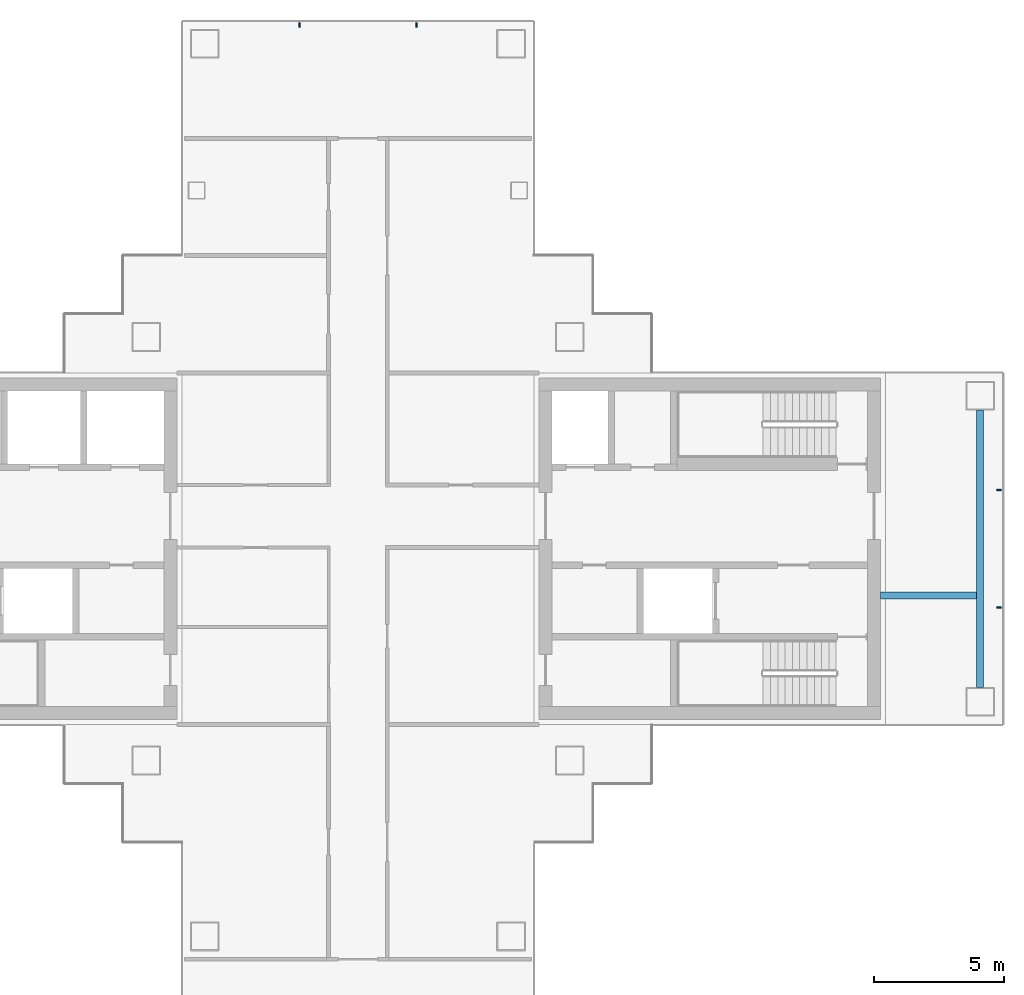
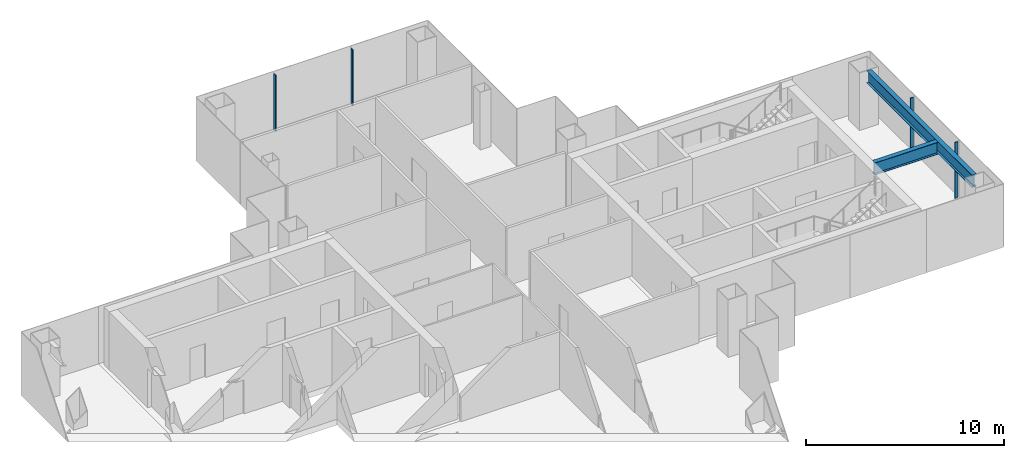
# One storey, part 6 of 16: 4 members, 2 beams, 2 elements without a shape of their own.
"""IFC4 building model written with IfcOpenShell, lengths in metres."""

from ifc_helpers import new_model, si_unit, direction, frame, origin, origin_2d, place, context, subcontext, project, spatial, rectangle, i_section, extrude, material, layer, layer_set, material_profile, profile_set, type_object, element, aggregate, save


model = new_model("IFC4")

# Units and contexts
model_context = context("Model", 3, precision=1e-05, world=origin(), true_north=direction((0.0, 1.0)))
body_context = subcontext(model_context, "Body", "Model", "MODEL_VIEW")
ifc_project = project(units=[si_unit("LENGTHUNIT", "METRE"), si_unit("AREAUNIT", "SQUARE_METRE"), si_unit("VOLUMEUNIT", "CUBIC_METRE"), si_unit("PLANEANGLEUNIT", "RADIAN"), si_unit("MASSUNIT", "GRAM", prefix="KILO")], contexts=[model_context])

# Site, building, storey
site_placement = place(None, origin())
site = spatial("IfcSite", under=ifc_project, at=site_placement, CompositionType="ELEMENT")
building_placement = place(site_placement, origin())
building = spatial("IfcBuilding", under=site, at=building_placement, Name="Shamsa Quay Exchange Towers", CompositionType="ELEMENT")
storey_placement = place(building_placement, frame((0.0, 0.0, 154.5)))
storey = spatial("IfcBuildingStorey", under=building, at=storey_placement, Name="L36", CompositionType="ELEMENT", Elevation=154.5)

# Curtain wall, members
ifc_material_1 = material(Name="Aluminium EN AW-6063 T6, black anodised", Category="aluminium")
ifc_layer = layer(ifc_material_1, 0.280029296875)
ifc_layer_set = layer_set([ifc_layer], Name="CW-1 UNITISED VISION GLASS")
curtain_wall_type = type_object("IfcCurtainWallType", Name="CW-1 UNITISED VISION GLASS", PredefinedType="NOTDEFINED", material=ifc_layer_set)
curtain_wall_1_placement = place(storey_placement, origin())
curtain_wall_1 = element("IfcCurtainWall", 1, at=curtain_wall_1_placement, inside=storey, type_object=curtain_wall_type, Name="CW1 T2-END-V- L36", PredefinedType="NOTDEFINED")
ifc_material_profile_1 = material_profile(ifc_material_1, rectangle(XDim=0.179931640625, YDim=0.06005859375, at=origin_2d()), Name="MU60x180")
ifc_profile_set_1 = profile_set([ifc_material_profile_1], Name="Aluminium EN AW-6063 T6, black anodised")
member_type = type_object("IfcMemberType", Name="CW1 MULLION 60x180", PredefinedType="MULLION", material=ifc_profile_set_1)
member_1_placement = place(storey_placement, frame((58.35009765625, -2.25, 0.0), z_axis=(0.0, 0.0, 1.0), x_axis=(-1.0, 0.0, 0.0)))
member_1 = element("IfcMember", 2, at=member_1_placement, type_object=member_type, Name="CW1 mullion", PredefinedType="MULLION", context=body_context, shape_type="SweptSolid", body=[
    extrude(rectangle(XDim=0.179931640625, YDim=0.06005859375, at=origin_2d()), origin(), (0.0, 0.0, 1.0), 3.449951171875),
])
member_2_placement = place(storey_placement, frame((58.35009765625, 2.25, 0.0), z_axis=(0.0, 0.0, 1.0), x_axis=(-1.0, 0.0, 0.0)))
member_2 = element("IfcMember", 3, at=member_2_placement, type_object=member_type, Name="CW1 mullion", PredefinedType="MULLION", context=body_context, shape_type="SweptSolid", body=[
    extrude(rectangle(XDim=0.179931640625, YDim=0.06005859375, at=origin_2d()), origin(), (0.0, 0.0, 1.0), 3.449951171875),
])
aggregate(curtain_wall_1, [member_1, member_2])

curtain_wall_2_placement = place(storey_placement, origin())
curtain_wall_2 = element("IfcCurtainWall", 4, at=curtain_wall_2_placement, inside=storey, type_object=curtain_wall_type, Name="CW1 T2-END-U+ L36", PredefinedType="NOTDEFINED")
member_3_placement = place(storey_placement, frame((36.0, 20.10009765625, 0.0), z_axis=(0.0, 0.0, 1.0), x_axis=(0.0, -1.0, 0.0)))
member_3 = element("IfcMember", 5, at=member_3_placement, type_object=member_type, Name="CW1 mullion", PredefinedType="MULLION", context=body_context, shape_type="SweptSolid", body=[
    extrude(rectangle(XDim=0.179931640625, YDim=0.06005859375, at=origin_2d()), origin(), (0.0, 0.0, 1.0), 3.449951171875),
])
member_4_placement = place(storey_placement, frame((31.5, 20.10009765625, 0.0), z_axis=(0.0, 0.0, 1.0), x_axis=(0.0, -1.0, 0.0)))
member_4 = element("IfcMember", 6, at=member_4_placement, type_object=member_type, Name="CW1 mullion", PredefinedType="MULLION", context=body_context, shape_type="SweptSolid", body=[
    extrude(rectangle(XDim=0.179931640625, YDim=0.06005859375, at=origin_2d()), origin(), (0.0, 0.0, 1.0), 3.449951171875),
])
aggregate(curtain_wall_2, [member_3, member_4])

# Beams
ifc_material_2 = material(Name="Steel S355", Category="steel")
ifc_material_profile_2 = material_profile(ifc_material_2, i_section(OverallWidth=0.26611328125, OverallDepth=0.7578125, WebThickness=0.013916015625, FlangeThickness=0.019287109375, at=origin_2d()), Name="W30x108")
ifc_profile_set_2 = profile_set([ifc_material_profile_2], Name="Steel S355")
beam_type = type_object("IfcBeamType", Name="End-zone beam W30x108", PredefinedType="BEAM", material=ifc_profile_set_2)
beam_1_placement = place(storey_placement, frame((57.625, -5.324951171875, 3.171142578125), z_axis=(0.0, 1.0, 0.0), x_axis=(-1.0, 0.0, 0.0)))
element("IfcBeam", 7, at=beam_1_placement, inside=storey, type_object=beam_type, Name="End beam T2 V- end zone L36", PredefinedType="BEAM", context=body_context, shape_type="SweptSolid", body=[
    extrude(i_section(OverallWidth=0.26611328125, OverallDepth=0.7578125, WebThickness=0.013916015625, FlangeThickness=0.019287109375, at=origin_2d()), origin(), (0.0, 0.0, 1.0), 10.64990234375),
])
beam_2_placement = place(storey_placement, frame((53.800048828125, -1.800048828125, 3.171142578125), z_axis=(1.0, 0.0, 0.0), x_axis=(0.0, 1.0, 0.0)))
element("IfcBeam", 8, at=beam_2_placement, inside=storey, type_object=beam_type, Name="Spine beam T2 V- end zone L36", PredefinedType="BEAM", context=body_context, shape_type="SweptSolid", body=[
    extrude(i_section(OverallWidth=0.26611328125, OverallDepth=0.7578125, WebThickness=0.013916015625, FlangeThickness=0.019287109375, at=origin_2d()), origin(), (0.0, 0.0, 1.0), 3.69189453125),
])

save(model, "model.ifc")
